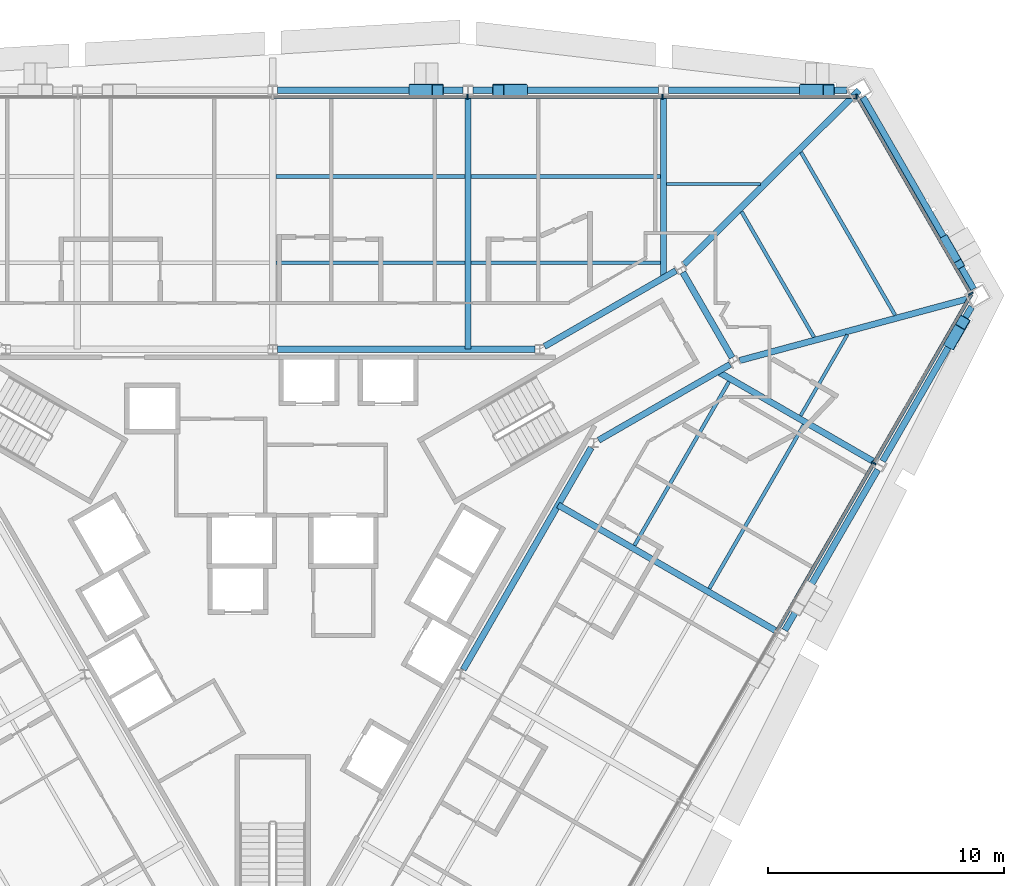
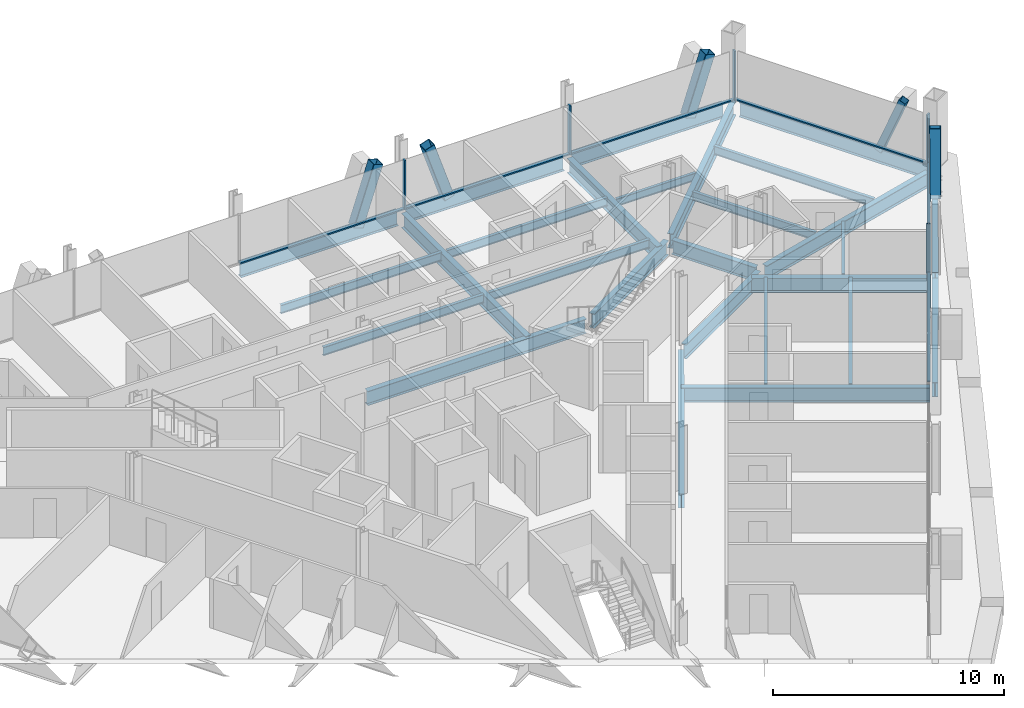
# One storey, part 8 of 17: 27 beams, 16 members, 3 elements without a shape of their own.
"""IFC4 building model written with IfcOpenShell, lengths in metres."""

from ifc_helpers import new_model, si_unit, direction, frame, origin, origin_2d, place, context, subcontext, project, spatial, rectangle, hollow_rectangle, i_section, extrude, material, material_profile, profile_set, type_object, element, aggregate, save


model = new_model("IFC4")

# Units and contexts
model_context = context("Model", 3, precision=1e-05, world=origin(), true_north=direction((0.0, 1.0)))
body_context = subcontext(model_context, "Body", "Model", "MODEL_VIEW")
ifc_project = project(units=[si_unit("LENGTHUNIT", "METRE"), si_unit("AREAUNIT", "SQUARE_METRE"), si_unit("VOLUMEUNIT", "CUBIC_METRE"), si_unit("PLANEANGLEUNIT", "RADIAN"), si_unit("MASSUNIT", "GRAM", prefix="KILO")], contexts=[model_context])

# Site, building, storey
site_placement = place(None, origin())
site = spatial("IfcSite", under=ifc_project, at=site_placement, CompositionType="ELEMENT")
building_placement = place(site_placement, origin())
building = spatial("IfcBuilding", under=site, at=building_placement, Name="Verrane Prism Tower", CompositionType="ELEMENT")
storey_placement = place(building_placement, frame((0.0, 0.0, 136.0)))
storey = spatial("IfcBuildingStorey", under=building, at=storey_placement, Name="L33", CompositionType="ELEMENT", Elevation=136.0)

# Member
ifc_material_1 = material(Name="Steel A500 Grade C", Category="steel")
ifc_material_profile_1 = material_profile(ifc_material_1, hollow_rectangle(XDim=0.355712890625, YDim=0.355712890625, WallThickness=0.0126953125, InnerFilletRadius=0.00634765625, OuterFilletRadius=0.01904296875, at=origin_2d()), Name="HSS14x14x1/2")
ifc_profile_set_1 = profile_set([ifc_material_profile_1], Name="Steel A500 Grade C")
member_type_1 = type_object("IfcMemberType", Name="Chamfer brace HSS14x14x1/2", PredefinedType="BRACE", material=ifc_profile_set_1)
member_1_placement = place(storey_placement, frame((28.539794921875, 13.843505859375, -0.2451171875), z_axis=(0.185659078212, -0.321960011241, 0.928370862231), x_axis=(0.86628698939, 0.499546646484, 0.0)))
element("IfcMember", 1, at=member_1_placement, inside=storey, type_object=member_type_1, Name="Chamfer brace NE0 L33", PredefinedType="BRACE", context=body_context, shape_type="SweptSolid", body=[
    extrude(hollow_rectangle(XDim=0.355712890625, YDim=0.355712890625, WallThickness=0.0126953125, InnerFilletRadius=0.00634765625, OuterFilletRadius=0.01904296875, at=origin_2d()), origin(), (0.0, 0.0, 1.0), 3.23486328125),
])

# Beams
ifc_material_2 = material(Name="Steel A992", Category="steel")
ifc_material_profile_2 = material_profile(ifc_material_2, i_section(OverallWidth=0.2666015625, OverallDepth=0.76708984375, WebThickness=0.014892578125, FlangeThickness=0.023681640625, FilletRadius=0.0166015625, at=origin_2d()), Name="W30x124")
ifc_profile_set_2 = profile_set([ifc_material_profile_2], Name="Steel A992")
beam_type_1 = type_object("IfcBeamType", Name="Chamfer spandrel beam W30x124", PredefinedType="SPANDREL", material=ifc_profile_set_2)
beam_1_placement = place(storey_placement, frame((29.7451171875, 11.753173828125, -0.54345703125), z_axis=(-0.499562619687, 0.866277778205, 0.0), x_axis=(-0.866277778205, -0.499562619687, 0.0)))
element("IfcBeam", 2, at=beam_1_placement, inside=storey, type_object=beam_type_1, Name="Chamfer spandrel beam L33", PredefinedType="SPANDREL", context=body_context, shape_type="SweptSolid", body=[
    extrude(i_section(OverallWidth=0.2666015625, OverallDepth=0.76708984375, WebThickness=0.014892578125, FlangeThickness=0.023681640625, FilletRadius=0.0166015625, at=origin_2d()), origin(), (0.0, 0.0, 1.0), 9.38916015625),
])
ifc_material_3 = material(Name="Steel A992", Category="steel")
ifc_material_profile_3 = material_profile(ifc_material_3, i_section(OverallWidth=0.2666015625, OverallDepth=0.7568359375, WebThickness=0.013916015625, FlangeThickness=0.019287109375, FilletRadius=0.0166015625, at=origin_2d()), Name="W30x108")
ifc_profile_set_3 = profile_set([ifc_material_profile_3], Name="Steel A992")
beam_type_2 = type_object("IfcBeamType", Name="Core ring girder W30x108", PredefinedType="BEAM", material=ifc_profile_set_3)
beam_2_placement = place(storey_placement, frame((13.830810546875, 5.335693359375, -0.62841796875), z_axis=(0.866455532004, 0.499254254924, 0.0), x_axis=(-0.499254254924, 0.866455532004, 0.0)))
element("IfcBeam", 3, at=beam_2_placement, inside=storey, type_object=beam_type_2, Name="Core ring girder L33", PredefinedType="BEAM", context=body_context, shape_type="SweptSolid", body=[
    extrude(i_section(OverallWidth=0.2666015625, OverallDepth=0.7568359375, WebThickness=0.013916015625, FlangeThickness=0.019287109375, FilletRadius=0.0166015625, at=origin_2d()), origin(), (0.0, 0.0, 1.0), 6.441162109375),
])
beam_3_placement = place(storey_placement, frame((19.4970703125, 8.838134765625, -0.62841796875), z_axis=(-0.500367003619, 0.865813410435, 0.0), x_axis=(-0.865813410435, -0.500367003619, 0.0)))
element("IfcBeam", 4, at=beam_3_placement, inside=storey, type_object=beam_type_2, Name="Core ring girder L33", PredefinedType="BEAM", context=body_context, shape_type="SweptSolid", body=[
    extrude(i_section(OverallWidth=0.2666015625, OverallDepth=0.7568359375, WebThickness=0.013916015625, FlangeThickness=0.019287109375, FilletRadius=0.0166015625, at=origin_2d()), origin(), (0.0, 0.0, 1.0), 4.185302734375),
])
beam_4_placement = place(storey_placement, frame((17.11181640625, 12.531494140625, -0.62841796875), z_axis=(-0.866455532004, -0.499254254924, 0.0), x_axis=(0.499254254924, -0.866455532004, 0.0)))
element("IfcBeam", 5, at=beam_4_placement, inside=storey, type_object=beam_type_2, Name="Core ring girder L33", PredefinedType="BEAM", context=body_context, shape_type="SweptSolid", body=[
    extrude(i_section(OverallWidth=0.2666015625, OverallDepth=0.7568359375, WebThickness=0.013916015625, FlangeThickness=0.019287109375, FilletRadius=0.0166015625, at=origin_2d()), origin(), (0.0, 0.0, 1.0), 6.441162109375),
])
beam_5_placement = place(storey_placement, frame((11.12939453125, 9.199951171875, -0.62841796875), z_axis=(-1.0, 0.0, 0.0), x_axis=(0.0, -1.0, 0.0)))
element("IfcBeam", 6, at=beam_5_placement, inside=storey, type_object=beam_type_2, Name="Core ring girder L33", PredefinedType="BEAM", context=body_context, shape_type="SweptSolid", body=[
    extrude(i_section(OverallWidth=0.2666015625, OverallDepth=0.7568359375, WebThickness=0.013916015625, FlangeThickness=0.019287109375, FilletRadius=0.0166015625, at=origin_2d()), origin(), (0.0, 0.0, 1.0), 10.9287109375),
])
beam_6_placement = place(storey_placement, frame((8.0849609375, -4.400634765625, -0.62841796875), z_axis=(0.4993706109, 0.866388476937, 0.0), x_axis=(-0.866388476937, 0.4993706109, 0.0)))
element("IfcBeam", 7, at=beam_6_placement, inside=storey, type_object=beam_type_2, Name="Core ring girder L33", PredefinedType="BEAM", context=body_context, shape_type="SweptSolid", body=[
    extrude(i_section(OverallWidth=0.2666015625, OverallDepth=0.7568359375, WebThickness=0.013916015625, FlangeThickness=0.019287109375, FilletRadius=0.0166015625, at=origin_2d()), origin(), (0.0, 0.0, 1.0), 10.8740234375),
])
ifc_material_4 = material(Name="Steel A992", Category="steel")
ifc_material_profile_4 = material_profile(ifc_material_4, i_section(OverallWidth=0.2666015625, OverallDepth=0.76708984375, WebThickness=0.014892578125, FlangeThickness=0.023681640625, FilletRadius=0.0166015625, at=origin_2d()), Name="W30x124")
ifc_profile_set_4 = profile_set([ifc_material_profile_4], Name="Steel A992")
beam_type_3 = type_object("IfcBeamType", Name="Corner girder W30x124", PredefinedType="BEAM", material=ifc_profile_set_4)
beam_7_placement = place(storey_placement, frame((29.470458984375, 11.32861328125, -0.603515625), z_axis=(-0.965337296085, -0.261005564666, 0.0), x_axis=(0.261005564666, -0.965337296085, 0.0)))
element("IfcBeam", 8, at=beam_7_placement, inside=storey, type_object=beam_type_3, Name="Corner girder L33", PredefinedType="BEAM", context=body_context, shape_type="SweptSolid", body=[
    extrude(i_section(OverallWidth=0.2666015625, OverallDepth=0.76708984375, WebThickness=0.014892578125, FlangeThickness=0.023681640625, FilletRadius=0.0166015625, at=origin_2d()), origin(), (0.0, 0.0, 1.0), 10.000244140625),
])
beam_8_placement = place(storey_placement, frame((24.87744140625, 20.1875, -0.603515625), z_axis=(-0.708504451499, -0.705706342756, 0.0), x_axis=(0.705706342756, -0.708504451499, 0.0)))
element("IfcBeam", 9, at=beam_8_placement, inside=storey, type_object=beam_type_3, Name="Corner girder L33", PredefinedType="BEAM", context=body_context, shape_type="SweptSolid", body=[
    extrude(i_section(OverallWidth=0.2666015625, OverallDepth=0.76708984375, WebThickness=0.014892578125, FlangeThickness=0.023681640625, FilletRadius=0.0166015625, at=origin_2d()), origin(), (0.0, 0.0, 1.0), 10.47021484375),
])

# Members
ifc_material_5 = material(Name="Steel A1085 Grade A", Category="steel")
ifc_material_profile_5 = material_profile(ifc_material_5, hollow_rectangle(XDim=0.508056640625, YDim=0.508056640625, WallThickness=0.025390625, InnerFilletRadius=0.0126953125, OuterFilletRadius=0.0380859375, at=origin_2d()), Name="HSS20x20x1")
ifc_profile_set_5 = profile_set([ifc_material_profile_5], Name="Steel A1085 Grade A")
member_type_2 = type_object("IfcMemberType", Name="Facade brace HSS20x20x1", PredefinedType="BRACE", material=ifc_profile_set_5)
member_2_placement = place(storey_placement, frame((22.60595703125, 20.18994140625, -0.24267578125), z_axis=(0.312803218543, 0.0, 0.949817954383), x_axis=(0.0, 1.0, 0.0)))
element("IfcMember", 10, at=member_2_placement, inside=storey, type_object=member_type_2, Name="Facade brace N0 L33", PredefinedType="BRACE", context=body_context, shape_type="SweptSolid", body=[
    extrude(hollow_rectangle(XDim=0.508056640625, YDim=0.508056640625, WallThickness=0.025390625, InnerFilletRadius=0.0126953125, OuterFilletRadius=0.0380859375, at=origin_2d()), origin(), (0.0, 0.0, 1.0), 3.167236328125),
])
member_3_placement = place(storey_placement, frame((10.561279296875, 20.18994140625, -0.24267578125), z_axis=(-0.312525014956, 0.0, 0.949909529917), x_axis=(0.0, -1.0, 0.0)))
element("IfcMember", 11, at=member_3_placement, inside=storey, type_object=member_type_2, Name="Facade brace N1 L33", PredefinedType="BRACE", context=body_context, shape_type="SweptSolid", body=[
    extrude(hollow_rectangle(XDim=0.508056640625, YDim=0.508056640625, WallThickness=0.025390625, InnerFilletRadius=0.0126953125, OuterFilletRadius=0.0380859375, at=origin_2d()), origin(), (0.0, 0.0, 1.0), 3.1669921875),
])
for number, where, z_axis, x_axis, name in (
    (12, (6.018798828125, 20.18994140625, -0.24267578125), (0.312455451488, 0.0, 0.949932413825), (0.0, 1.0, 0.0), "Facade brace N2 L33"),
    (13, (28.785888671875, 9.48291015625, -0.24267578125), (0.156036437753, 0.270673879917, 0.949941198614), (-0.866353965071, 0.499430482855, 0.0), "Facade brace SE5 L33"),
):
    element("IfcMember", number, at=place(storey_placement, frame(where, z_axis=z_axis, x_axis=x_axis)), inside=storey, type_object=member_type_2, Name=name, PredefinedType="BRACE", context=body_context, shape_type="SweptSolid", body=[
        extrude(hollow_rectangle(XDim=0.508056640625, YDim=0.508056640625, WallThickness=0.025390625, InnerFilletRadius=0.0126953125, OuterFilletRadius=0.0380859375, at=origin_2d()), origin(), (0.0, 0.0, 1.0), 3.166748046875),
    ])

# Beams
ifc_material_6 = material(Name="Steel A992", Category="steel")
ifc_material_profile_6 = material_profile(ifc_material_6, i_section(OverallWidth=0.140380859375, OverallDepth=0.40380859375, WebThickness=0.007080078125, FlangeThickness=0.01123046875, FilletRadius=0.01025390625, at=origin_2d()), Name="W16x31")
ifc_profile_set_6 = profile_set([ifc_material_profile_6], Name="Steel A992")
beam_type_4 = type_object("IfcBeamType", Name="Floor beam W16x31", PredefinedType="BEAM", material=ifc_profile_set_6)
beam_9_placement = place(storey_placement, frame((16.71337890625, 16.2099609375, -0.36181640625), z_axis=(1.0, 0.0, 0.0), x_axis=(0.0, 1.0, 0.0)))
element("IfcBeam", 14, at=beam_9_placement, inside=storey, type_object=beam_type_4, Name="Floor beam L33", PredefinedType="BEAM", context=body_context, shape_type="SweptSolid", body=[
    extrude(i_section(OverallWidth=0.140380859375, OverallDepth=0.40380859375, WebThickness=0.007080078125, FlangeThickness=0.01123046875, FilletRadius=0.01025390625, at=origin_2d()), origin(), (0.0, 0.0, 1.0), 3.981689453125),
])
beam_10_placement = place(storey_placement, frame((22.40185546875, 6.37548828125, -0.36181640625), z_axis=(0.499972468829, 0.86604129833, 0.0), x_axis=(-0.86604129833, 0.499972468829, 0.0)))
element("IfcBeam", 15, at=beam_10_placement, inside=storey, type_object=beam_type_4, Name="Floor beam L33", PredefinedType="BEAM", context=body_context, shape_type="SweptSolid", body=[
    extrude(i_section(OverallWidth=0.140380859375, OverallDepth=0.40380859375, WebThickness=0.007080078125, FlangeThickness=0.01123046875, FilletRadius=0.01025390625, at=origin_2d()), origin(), (0.0, 0.0, 1.0), 3.972900390625),
])
ifc_material_7 = material(Name="Steel A992", Category="steel")
ifc_material_profile_7 = material_profile(ifc_material_7, i_section(OverallWidth=0.15234375, OverallDepth=0.449462890625, WebThickness=0.007568359375, FlangeThickness=0.0107421875, FilletRadius=0.01025390625, at=origin_2d()), Name="W18x35")
ifc_profile_set_7 = profile_set([ifc_material_profile_7], Name="Steel A992")
beam_type_5 = type_object("IfcBeamType", Name="Floor beam W18x35", PredefinedType="BEAM", material=ifc_profile_set_7)
for number, where, z_axis, x_axis, name in (
    (16, (8.423583984375, 12.86328125, -0.384765625), (1.0, 0.0, 0.0), (0.0, 1.0, 0.0), "Floor beam L33"),
    (17, (8.423583984375, 16.526611328125, -0.384765625), (1.0, 0.0, 0.0), (0.0, 1.0, 0.0), "Floor beam L33"),
    (18, (0.133544921875, 12.86328125, -0.384765625), (1.0, 0.0, 0.0), (0.0, 1.0, 0.0), "Floor beam L33"),
    (19, (0.133544921875, 16.526611328125, -0.384765625), (1.0, 0.0, 0.0), (0.0, 1.0, 0.0), "Floor beam L33"),
):
    element("IfcBeam", number, at=place(storey_placement, frame(where, z_axis=z_axis, x_axis=x_axis)), inside=storey, type_object=beam_type_5, Name=name, PredefinedType="BEAM", context=body_context, shape_type="SweptSolid", body=[
        extrude(i_section(OverallWidth=0.15234375, OverallDepth=0.449462890625, WebThickness=0.007568359375, FlangeThickness=0.0107421875, FilletRadius=0.01025390625, at=origin_2d()), origin(), (0.0, 0.0, 1.0), 8.02294921875),
    ])
beam_11_placement = place(storey_placement, frame((18.525634765625, -0.96240234375, -0.384765625), z_axis=(0.499996300355, 0.866027539765, 0.0), x_axis=(-0.866027539765, 0.499996300355, 0.0)))
element("IfcBeam", 20, at=beam_11_placement, inside=storey, type_object=beam_type_5, Name="Floor beam L33", PredefinedType="BEAM", context=body_context, shape_type="SweptSolid", body=[
    extrude(i_section(OverallWidth=0.15234375, OverallDepth=0.449462890625, WebThickness=0.007568359375, FlangeThickness=0.0107421875, FilletRadius=0.01025390625, at=origin_2d()), origin(), (0.0, 0.0, 1.0), 8.02587890625),
])
beam_12_placement = place(storey_placement, frame((15.351318359375, 0.87158203125, -0.384765625), z_axis=(0.499986657325, 0.866033107044, 0.0), x_axis=(-0.866033107044, 0.499986657325, 0.0)))
element("IfcBeam", 21, at=beam_12_placement, inside=storey, type_object=beam_type_5, Name="Floor beam L33", PredefinedType="BEAM", context=body_context, shape_type="SweptSolid", body=[
    extrude(i_section(OverallWidth=0.15234375, OverallDepth=0.449462890625, WebThickness=0.007568359375, FlangeThickness=0.0107421875, FilletRadius=0.01025390625, at=origin_2d()), origin(), (0.0, 0.0, 1.0), 8.025634765625),
])
beam_13_placement = place(storey_placement, frame((26.413818359375, 10.640380859375, -0.384765625), z_axis=(-0.500003955024, 0.866023120338, 0.0), x_axis=(-0.866023120338, -0.500003955024, 0.0)))
element("IfcBeam", 22, at=beam_13_placement, inside=storey, type_object=beam_type_5, Name="Floor beam L33", PredefinedType="BEAM", context=body_context, shape_type="SweptSolid", body=[
    extrude(i_section(OverallWidth=0.15234375, OverallDepth=0.449462890625, WebThickness=0.007568359375, FlangeThickness=0.0107421875, FilletRadius=0.01025390625, at=origin_2d()), origin(), (0.0, 0.0, 1.0), 7.98291015625),
])
beam_14_placement = place(storey_placement, frame((22.971435546875, 9.709716796875, -0.384765625), z_axis=(-0.499989277538, 0.866031594312, 0.0), x_axis=(-0.866031594312, -0.499989277538, 0.0)))
element("IfcBeam", 23, at=beam_14_placement, inside=storey, type_object=beam_type_5, Name="Floor beam L33", PredefinedType="BEAM", context=body_context, shape_type="SweptSolid", body=[
    extrude(i_section(OverallWidth=0.15234375, OverallDepth=0.449462890625, WebThickness=0.007568359375, FlangeThickness=0.0107421875, FilletRadius=0.01025390625, at=origin_2d()), origin(), (0.0, 0.0, 1.0), 6.151611328125),
])

# Curtain wall, member
ifc_material_8 = material(Name="Aluminium framed insulated glazing", Category="aluminium")
curtain_wall_type = type_object("IfcCurtainWallType", Name="Curtain wall CW-A 8400 module", PredefinedType="NOTDEFINED", material=ifc_material_8)
curtain_wall_1_placement = place(storey_placement, origin())
curtain_wall_1 = element("IfcCurtainWall", 24, at=curtain_wall_1_placement, inside=storey, type_object=curtain_wall_type, Name="Glazed curtain wall north-east corner L33", PredefinedType="NOTDEFINED")
ifc_material_9 = material(Name="Aluminium alloy 6063-T6", Category="aluminium")
ifc_material_profile_8 = material_profile(ifc_material_9, rectangle(XDim=0.199951171875, YDim=0.070068359375, at=origin_2d()), Name="Mullion 70x200 aluminium")
ifc_profile_set_8 = profile_set([ifc_material_profile_8], Name="Aluminium alloy 6063-T6")
member_type_3 = type_object("IfcMemberType", Name="Mullion 70x200 aluminium", PredefinedType="MULLION", material=ifc_profile_set_8)
member_4_placement = place(storey_placement, frame((29.62744140625, 11.554931640625, 0.0), z_axis=(0.0, 0.0, 1.0), x_axis=(-0.866027551544, -0.499996279953, 0.0)))
member_4 = element("IfcMember", 25, at=member_4_placement, type_object=member_type_3, Name="CW32.1 mullion 1", PredefinedType="MULLION", context=body_context, shape_type="SweptSolid", body=[
    extrude(rectangle(XDim=0.199951171875, YDim=0.070068359375, at=origin_2d()), origin(), (0.0, 0.0, 1.0), 2.61279296875),
])

# Curtain wall, members
curtain_wall_2_placement = place(storey_placement, origin())
curtain_wall_2 = element("IfcCurtainWall", 26, at=curtain_wall_2_placement, inside=storey, type_object=curtain_wall_type, Name="Glazed curtain wall north face L33", PredefinedType="NOTDEFINED")
member_5_placement = place(storey_placement, frame((24.76806640625, 19.910888671875, 0.0), z_axis=(0.0, 0.0, 1.0), x_axis=(0.0, -1.0, 0.0)))
member_5 = element("IfcMember", 27, at=member_5_placement, type_object=member_type_3, Name="CW32.2 mullion 1", PredefinedType="MULLION", context=body_context, shape_type="SweptSolid", body=[
    extrude(rectangle(XDim=0.199951171875, YDim=0.070068359375, at=origin_2d()), origin(), (0.0, 0.0, 1.0), 2.61279296875),
])
member_6_placement = place(storey_placement, frame((16.535400390625, 19.910888671875, 0.0), z_axis=(0.0, 0.0, 1.0), x_axis=(0.0, -1.0, 0.0)))
member_6 = element("IfcMember", 28, at=member_6_placement, type_object=member_type_3, Name="CW32.2 mullion 2", PredefinedType="MULLION", context=body_context, shape_type="SweptSolid", body=[
    extrude(rectangle(XDim=0.199951171875, YDim=0.070068359375, at=origin_2d()), origin(), (0.0, 0.0, 1.0), 2.61279296875),
])
member_7_placement = place(storey_placement, frame((8.267578125, 19.910888671875, 0.0), z_axis=(0.0, 0.0, 1.0), x_axis=(0.0, -1.0, 0.0)))
member_7 = element("IfcMember", 29, at=member_7_placement, type_object=member_type_3, Name="CW32.2 mullion 3", PredefinedType="MULLION", context=body_context, shape_type="SweptSolid", body=[
    extrude(rectangle(XDim=0.199951171875, YDim=0.070068359375, at=origin_2d()), origin(), (0.0, 0.0, 1.0), 2.61279296875),
])

# Curtain wall, member
curtain_wall_3_placement = place(storey_placement, origin())
curtain_wall_3 = element("IfcCurtainWall", 30, at=curtain_wall_3_placement, inside=storey, type_object=curtain_wall_type, Name="Glazed curtain wall south-east face L33", PredefinedType="NOTDEFINED")
member_8_placement = place(storey_placement, frame((25.510986328125, 4.364501953125, 0.0), z_axis=(0.0, 0.0, 1.0), x_axis=(-0.866025120648, 0.500000490406, 0.0)))
member_8 = element("IfcMember", 31, at=member_8_placement, type_object=member_type_3, Name="CW32.6 mullion 6", PredefinedType="MULLION", context=body_context, shape_type="SweptSolid", body=[
    extrude(rectangle(XDim=0.199951171875, YDim=0.070068359375, at=origin_2d()), origin(), (0.0, 0.0, 1.0), 2.61279296875),
])

# Beams
ifc_material_10 = material(Name="Steel A992", Category="steel")
ifc_material_profile_9 = material_profile(ifc_material_10, i_section(OverallWidth=0.2666015625, OverallDepth=0.76708984375, WebThickness=0.014892578125, FlangeThickness=0.023681640625, FilletRadius=0.0166015625, at=origin_2d()), Name="W30x124")
ifc_profile_set_9 = profile_set([ifc_material_profile_9], Name="Steel A992")
beam_type_6 = type_object("IfcBeamType", Name="Radial girder W30x124", PredefinedType="BEAM", material=ifc_profile_set_9)
beam_15_placement = place(storey_placement, frame((16.580078125, 19.962646484375, -0.603515625), z_axis=(0.0, -1.0, 0.0), x_axis=(1.0, 0.0, 0.0)))
element("IfcBeam", 32, at=beam_15_placement, inside=storey, type_object=beam_type_6, Name="Radial girder L33", PredefinedType="BEAM", context=body_context, shape_type="SweptSolid", body=[
    extrude(i_section(OverallWidth=0.2666015625, OverallDepth=0.76708984375, WebThickness=0.014892578125, FlangeThickness=0.023681640625, FilletRadius=0.0166015625, at=origin_2d()), origin(), (0.0, 0.0, 1.0), 7.737548828125),
])
beam_16_placement = place(storey_placement, frame((8.2900390625, 19.962646484375, -0.603515625), z_axis=(0.0, -1.0, 0.0), x_axis=(1.0, 0.0, 0.0)))
element("IfcBeam", 33, at=beam_16_placement, inside=storey, type_object=beam_type_6, Name="Radial girder L33", PredefinedType="BEAM", context=body_context, shape_type="SweptSolid", body=[
    extrude(i_section(OverallWidth=0.2666015625, OverallDepth=0.76708984375, WebThickness=0.014892578125, FlangeThickness=0.023681640625, FilletRadius=0.0166015625, at=origin_2d()), origin(), (0.0, 0.0, 1.0), 10.7626953125),
])
beam_17_placement = place(storey_placement, frame((21.43310546875, -2.79638671875, -0.603515625), z_axis=(-0.866023543838, 0.500003221507, 0.0), x_axis=(-0.500003221507, -0.866023543838, 0.0)))
element("IfcBeam", 34, at=beam_17_placement, inside=storey, type_object=beam_type_6, Name="Radial girder L33", PredefinedType="BEAM", context=body_context, shape_type="SweptSolid", body=[
    extrude(i_section(OverallWidth=0.2666015625, OverallDepth=0.76708984375, WebThickness=0.014892578125, FlangeThickness=0.023681640625, FilletRadius=0.0166015625, at=origin_2d()), origin(), (0.0, 0.0, 1.0), 10.763671875),
])
beam_18_placement = place(storey_placement, frame((25.5830078125, 4.3837890625, -0.603515625), z_axis=(-0.866023094746, 0.500003999351, 0.0), x_axis=(-0.500003999351, -0.866023094746, 0.0)))
element("IfcBeam", 35, at=beam_18_placement, inside=storey, type_object=beam_type_6, Name="Radial girder L33", PredefinedType="BEAM", context=body_context, shape_type="SweptSolid", body=[
    extrude(i_section(OverallWidth=0.2666015625, OverallDepth=0.76708984375, WebThickness=0.014892578125, FlangeThickness=0.023681640625, FilletRadius=0.0166015625, at=origin_2d()), origin(), (0.0, 0.0, 1.0), 7.7314453125),
])
ifc_material_11 = material(Name="Steel A992", Category="steel")
ifc_material_profile_10 = material_profile(ifc_material_11, i_section(OverallWidth=0.2666015625, OverallDepth=0.7568359375, WebThickness=0.013916015625, FlangeThickness=0.019287109375, FilletRadius=0.0166015625, at=origin_2d()), Name="W30x108")
ifc_profile_set_10 = profile_set([ifc_material_profile_10], Name="Steel A992")
beam_type_7 = type_object("IfcBeamType", Name="Spandrel beam W30x108", PredefinedType="SPANDREL", material=ifc_profile_set_10)
beam_19_placement = place(storey_placement, frame((24.3603515625, 20.18994140625, -0.53857421875), z_axis=(-1.0, 0.0, 0.0), x_axis=(0.0, -1.0, 0.0)))
element("IfcBeam", 36, at=beam_19_placement, inside=storey, type_object=beam_type_7, Name="Spandrel beam L33", PredefinedType="SPANDREL", context=body_context, shape_type="SweptSolid", body=[
    extrude(i_section(OverallWidth=0.2666015625, OverallDepth=0.7568359375, WebThickness=0.013916015625, FlangeThickness=0.019287109375, FilletRadius=0.0166015625, at=origin_2d()), origin(), (0.0, 0.0, 1.0), 7.57080078125),
])
for number, where, z_axis, x_axis, name in (
    (37, (16.370361328125, 20.18994140625, -0.53857421875), (-1.0, 0.0, 0.0), (0.0, -1.0, 0.0), "Spandrel beam L33"),
    (38, (8.080322265625, 20.18994140625, -0.53857421875), (-1.0, 0.0, 0.0), (0.0, -1.0, 0.0), "Spandrel beam L33"),
):
    element("IfcBeam", number, at=place(storey_placement, frame(where, z_axis=z_axis, x_axis=x_axis)), inside=storey, type_object=beam_type_7, Name=name, PredefinedType="SPANDREL", context=body_context, shape_type="SweptSolid", body=[
        extrude(i_section(OverallWidth=0.2666015625, OverallDepth=0.7568359375, WebThickness=0.013916015625, FlangeThickness=0.019287109375, FilletRadius=0.0166015625, at=origin_2d()), origin(), (0.0, 0.0, 1.0), 7.870849609375),
    ])
beam_20_placement = place(storey_placement, frame((21.73486328125, -2.728515625, -0.53857421875), z_axis=(0.500410353056, 0.865788356675, 0.0), x_axis=(-0.865788356675, 0.500410353056, 0.0)))
element("IfcBeam", 39, at=beam_20_placement, inside=storey, type_object=beam_type_7, Name="Spandrel beam L33", PredefinedType="SPANDREL", context=body_context, shape_type="SweptSolid", body=[
    extrude(i_section(OverallWidth=0.2666015625, OverallDepth=0.7568359375, WebThickness=0.013916015625, FlangeThickness=0.019287109375, FilletRadius=0.0166015625, at=origin_2d()), origin(), (0.0, 0.0, 1.0), 7.8740234375),
])
beam_21_placement = place(storey_placement, frame((25.884765625, 4.451416015625, -0.53857421875), z_axis=(0.499498748006, 0.866314608408, 0.0), x_axis=(-0.866314608408, 0.499498748006, 0.0)))
element("IfcBeam", 40, at=beam_21_placement, inside=storey, type_object=beam_type_7, Name="Spandrel beam L33", PredefinedType="SPANDREL", context=body_context, shape_type="SweptSolid", body=[
    extrude(i_section(OverallWidth=0.2666015625, OverallDepth=0.7568359375, WebThickness=0.013916015625, FlangeThickness=0.019287109375, FilletRadius=0.0166015625, at=origin_2d()), origin(), (0.0, 0.0, 1.0), 7.558837890625),
])

# Member
ifc_material_12 = material(Name="Aluminium alloy 6063-T6", Category="aluminium")
ifc_material_profile_11 = material_profile(ifc_material_12, rectangle(XDim=0.14990234375, YDim=0.070068359375, at=origin_2d()), Name="Transom 70x150 aluminium")
ifc_profile_set_11 = profile_set([ifc_material_profile_11], Name="Aluminium alloy 6063-T6")
member_type_4 = type_object("IfcMemberType", Name="Transom 70x150 aluminium", PredefinedType="USERDEFINED", material=ifc_profile_set_11)
member_9_placement = place(storey_placement, frame((29.60986328125, 11.585205078125, 0.034912109375), z_axis=(-0.500003830592, 0.86602319218, 0.0), x_axis=(-0.86602319218, -0.500003830592, 0.0)))
member_9 = element("IfcMember", 41, at=member_9_placement, type_object=member_type_4, Name="CW32.1 transom 1", ObjectType="TRANSOM", PredefinedType="USERDEFINED", context=body_context, shape_type="SweptSolid", body=[
    extrude(rectangle(XDim=0.14990234375, YDim=0.070068359375, at=origin_2d()), origin(), (0.0, 0.0, 1.0), 9.61376953125),
])

aggregate(curtain_wall_1, [member_4, member_9])

member_10_placement = place(storey_placement, frame((24.73291015625, 19.910888671875, 0.034912109375), z_axis=(-1.0, 0.0, 0.0), x_axis=(0.0, -1.0, 0.0)))
member_10 = element("IfcMember", 42, at=member_10_placement, type_object=member_type_4, Name="CW32.2 transom 1", ObjectType="TRANSOM", PredefinedType="USERDEFINED", context=body_context, shape_type="SweptSolid", body=[
    extrude(rectangle(XDim=0.14990234375, YDim=0.070068359375, at=origin_2d()), origin(), (0.0, 0.0, 1.0), 8.16259765625),
])

member_11_placement = place(storey_placement, frame((16.500244140625, 19.910888671875, 0.034912109375), z_axis=(-1.0, 0.0, 0.0), x_axis=(0.0, -1.0, 0.0)))
member_11 = element("IfcMember", 43, at=member_11_placement, type_object=member_type_4, Name="CW32.2 transom 2", ObjectType="TRANSOM", PredefinedType="USERDEFINED", context=body_context, shape_type="SweptSolid", body=[
    extrude(rectangle(XDim=0.14990234375, YDim=0.070068359375, at=origin_2d()), origin(), (0.0, 0.0, 1.0), 8.197509765625),
])

member_12_placement = place(storey_placement, frame((8.232666015625, 19.910888671875, 0.034912109375), z_axis=(-1.0, 0.0, 0.0), x_axis=(0.0, -1.0, 0.0)))
member_12 = element("IfcMember", 44, at=member_12_placement, type_object=member_type_4, Name="CW32.2 transom 3", ObjectType="TRANSOM", PredefinedType="USERDEFINED", context=body_context, shape_type="SweptSolid", body=[
    extrude(rectangle(XDim=0.14990234375, YDim=0.070068359375, at=origin_2d()), origin(), (0.0, 0.0, 1.0), 8.19775390625),
])

aggregate(curtain_wall_2, [member_5, member_6, member_7, member_10, member_11, member_12])

member_13_placement = place(storey_placement, frame((21.394775390625, -2.76513671875, 0.034912109375), z_axis=(0.500005171338, 0.866022418091, 0.0), x_axis=(-0.866022418091, 0.500005171338, 0.0)))
member_13 = element("IfcMember", 45, at=member_13_placement, type_object=member_type_4, Name="CW32.6 transom 5", ObjectType="TRANSOM", PredefinedType="USERDEFINED", context=body_context, shape_type="SweptSolid", body=[
    extrude(rectangle(XDim=0.14990234375, YDim=0.070068359375, at=origin_2d()), origin(), (0.0, 0.0, 1.0), 8.19775390625),
])

member_14_placement = place(storey_placement, frame((25.528564453125, 4.394775390625, 0.034912109375), z_axis=(0.500014236345, 0.866017184271, 0.0), x_axis=(-0.866017184271, 0.500014236345, 0.0)))
member_14 = element("IfcMember", 46, at=member_14_placement, type_object=member_type_4, Name="CW32.6 transom 6", ObjectType="TRANSOM", PredefinedType="USERDEFINED", context=body_context, shape_type="SweptSolid", body=[
    extrude(rectangle(XDim=0.14990234375, YDim=0.070068359375, at=origin_2d()), origin(), (0.0, 0.0, 1.0), 8.232666015625),
])

aggregate(curtain_wall_3, [member_8, member_13, member_14])

save(model, "model.ifc")
